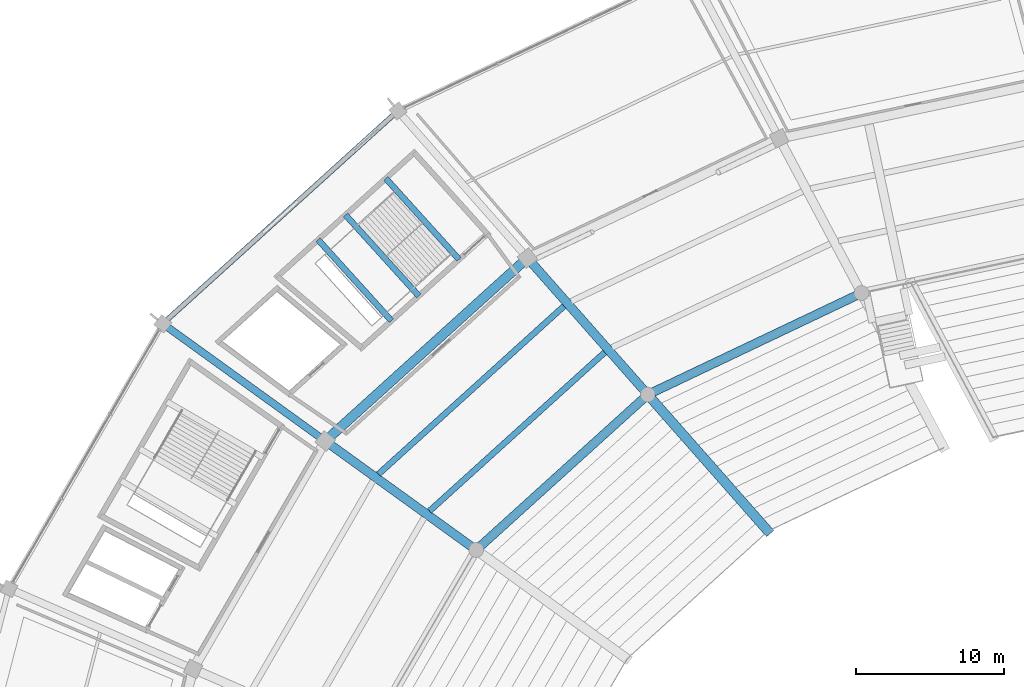
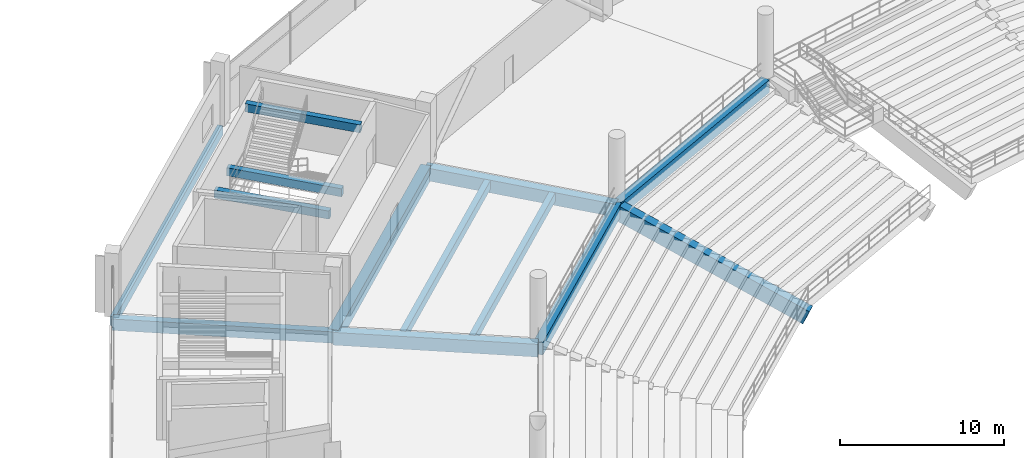
# One storey, part 69 of 156: 13 beams.
"""IFC4 building model written with IfcOpenShell, lengths in metres."""

from ifc_helpers import new_model, si_unit, direction, frame, origin, origin_2d, place, context, subcontext, project, spatial, rectangle, extrude, material, material_profile, profile_set, type_object, element, save


model = new_model("IFC4")

# Units and contexts
model_context = context("Model", 3, precision=1e-05, world=origin(), true_north=direction((0.0, 1.0)))
body_context = subcontext(model_context, "Body", "Model", "MODEL_VIEW")
ifc_project = project(units=[si_unit("LENGTHUNIT", "METRE"), si_unit("AREAUNIT", "SQUARE_METRE"), si_unit("VOLUMEUNIT", "CUBIC_METRE"), si_unit("PLANEANGLEUNIT", "RADIAN"), si_unit("MASSUNIT", "GRAM", prefix="KILO")], contexts=[model_context])

# Site, building, storey
site_placement = place(None, origin())
site = spatial("IfcSite", under=ifc_project, at=site_placement, CompositionType="ELEMENT")
building_placement = place(site_placement, origin())
building = spatial("IfcBuilding", under=site, at=building_placement, Name="Kazemori Nagisa Stadium", CompositionType="ELEMENT")
storey_placement = place(building_placement, frame((0.0, 0.0, 5.780029296875)))
storey = spatial("IfcBuildingStorey", under=building, at=storey_placement, Name="L01", CompositionType="ELEMENT", Elevation=5.780029296875)

# Beams
ifc_material = material(Name="Concrete C40/50 (Fc42)", Category="concrete")
ifc_material_profile_1 = material_profile(ifc_material, rectangle(XDim=0.39990234375, YDim=0.60009765625, at=origin_2d()), Name="RC-BM-400x600")
ifc_profile_set_1 = profile_set([ifc_material_profile_1], Name="Concrete C40/50 (Fc42)")
beam_type_1 = type_object("IfcBeamType", Name="Beam_BG-LND400X600", PredefinedType="BEAM", material=ifc_profile_set_1)
beam_1_placement = place(storey_placement, frame((61.818603515625, 160.547119140625, 1.8798828125), z_axis=(-0.671129682405, 0.741339968837, 0.0), x_axis=(-0.741339968837, -0.671129682405, 0.0)))
element("IfcBeam", 1, at=beam_1_placement, inside=storey, type_object=beam_type_1, Name="Core stair mid-landing girder ST02-L01-1", PredefinedType="BEAM", context=body_context, shape_type="SweptSolid", body=[
    extrude(rectangle(XDim=0.39990234375, YDim=0.60009765625, at=origin_2d()), origin(), (0.0, 0.0, 1.0), 7.3857421875),
])
for number, where, z_axis, x_axis, name in (
    (2, (59.96533203125, 158.869140625, 1.8798828125), (-0.671113236271, 0.74135485707, 0.0), (-0.74135485707, -0.671113236271, 0.0), "Core stair mid-landing girder ST02-L01-2"),
    (3, (64.543212890625, 163.01318359375, 4.199951171875), (-0.671113236271, 0.74135485707, 0.0), (-0.74135485707, -0.671113236271, 0.0), "Core stair arrival header girder ST02-L01"),
):
    element("IfcBeam", number, at=place(storey_placement, frame(where, z_axis=z_axis, x_axis=x_axis)), inside=storey, type_object=beam_type_1, Name=name, PredefinedType="BEAM", context=body_context, shape_type="SweptSolid", body=[
        extrude(rectangle(XDim=0.39990234375, YDim=0.60009765625, at=origin_2d()), origin(), (0.0, 0.0, 1.0), 7.385986328125),
    ])
ifc_material_profile_2 = material_profile(ifc_material, rectangle(XDim=0.5, YDim=0.85009765625, at=origin_2d()), Name="RC-BM-500x850")
ifc_profile_set_2 = profile_set([ifc_material_profile_2], Name="Concrete C40/50 (Fc42)")
beam_type_2 = type_object("IfcBeamType", Name="Beam_BG-RC500X850", PredefinedType="BEAM", material=ifc_profile_set_2)
beam_2_placement = place(storey_placement, frame((55.493896484375, 150.734130859375, -0.705078125), z_axis=(-0.810787509935, 0.585340596349, 0.0), x_axis=(-0.585340596349, -0.810787509935, 0.0)))
element("IfcBeam", 4, at=beam_2_placement, inside=storey, type_object=beam_type_2, Name="Radial girder BG-RC500X850 L01 R2-R3-12", PredefinedType="BEAM", context=body_context, shape_type="SweptSolid", body=[
    extrude(rectangle(XDim=0.5, YDim=0.85009765625, at=origin_2d()), origin(), (0.0, 0.0, 1.0), 13.5537109375),
])
ifc_material_profile_3 = material_profile(ifc_material, rectangle(XDim=0.60009765625, YDim=0.949951171875, at=origin_2d()), Name="RC-BM-600x950")
ifc_profile_set_3 = profile_set([ifc_material_profile_3], Name="Concrete C40/50 (Fc42)")
beam_type_3 = type_object("IfcBeamType", Name="Beam_BG-RC600X950", PredefinedType="BEAM", material=ifc_profile_set_3)
beam_3_placement = place(storey_placement, frame((91.75244140625, 160.739013671875, -0.755126953125), z_axis=(-0.903211989129, -0.429194714196, 0.0), x_axis=(0.429194714196, -0.903211989129, 0.0)))
element("IfcBeam", 5, at=beam_3_placement, inside=storey, type_object=beam_type_3, Name="Ring girder BG-RC600X950 L01 R1-10", PredefinedType="BEAM", context=body_context, shape_type="SweptSolid", body=[
    extrude(rectangle(XDim=0.60009765625, YDim=0.949951171875, at=origin_2d()), origin(), (0.0, 0.0, 1.0), 15.997314453125),
])
beam_4_placement = place(storey_placement, frame((77.303466796875, 153.873046875, -0.755126953125), z_axis=(-0.741349160152, -0.6711195294, 0.0), x_axis=(0.6711195294, -0.741349160152, 0.0)))
element("IfcBeam", 6, at=beam_4_placement, inside=storey, type_object=beam_type_3, Name="Ring girder BG-RC600X950 L01 R1-11", PredefinedType="BEAM", context=body_context, shape_type="SweptSolid", body=[
    extrude(rectangle(XDim=0.60009765625, YDim=0.949951171875, at=origin_2d()), origin(), (0.0, 0.0, 1.0), 15.65380859375),
])
beam_5_placement = place(storey_placement, frame((77.303466796875, 153.873046875, -0.755126953125), z_axis=(-0.66101406015, 0.75037351518, 0.0), x_axis=(-0.75037351518, -0.66101406015, 0.0)))
element("IfcBeam", 7, at=beam_5_placement, inside=storey, type_object=beam_type_3, Name="Radial girder BG-RC600X950 L01 R1-R2-11", PredefinedType="BEAM", context=body_context, shape_type="SweptSolid", body=[
    extrude(rectangle(XDim=0.60009765625, YDim=0.949951171875, at=origin_2d()), origin(), (0.0, 0.0, 1.0), 12.31103515625),
])
beam_6_placement = place(storey_placement, frame((65.698486328125, 143.367431640625, -0.755126953125), z_axis=(-0.810802996314, 0.585319144714, 0.0), x_axis=(-0.585319144714, -0.810802996314, 0.0)))
element("IfcBeam", 8, at=beam_6_placement, inside=storey, type_object=beam_type_3, Name="Radial girder BG-RC600X950 L01 R1-R2-12", PredefinedType="BEAM", context=body_context, shape_type="SweptSolid", body=[
    extrude(rectangle(XDim=0.60009765625, YDim=0.949951171875, at=origin_2d()), origin(), (0.0, 0.0, 1.0), 12.585693359375),
])
ifc_material_profile_4 = material_profile(ifc_material, rectangle(XDim=0.64990234375, YDim=1.050048828125, at=origin_2d()), Name="RC-BM-650x1050")
ifc_profile_set_4 = profile_set([ifc_material_profile_4], Name="Concrete C40/50 (Fc42)")
beam_type_4 = type_object("IfcBeamType", Name="Beam_BG-RC650X1050", PredefinedType="BEAM", material=ifc_profile_set_4)
beam_7_placement = place(storey_placement, frame((69.165771484375, 163.11083984375, -0.804931640625), z_axis=(-0.741349142139, -0.671119549298, 0.0), x_axis=(0.671119549298, -0.741349142139, 0.0)))
element("IfcBeam", 9, at=beam_7_placement, inside=storey, type_object=beam_type_4, Name="Ring girder BG-RC650X1050 L01 R2-11", PredefinedType="BEAM", context=body_context, shape_type="SweptSolid", body=[
    extrude(rectangle(XDim=0.64990234375, YDim=1.050048828125, at=origin_2d()), origin(), (0.0, 0.0, 1.0), 18.44189453125),
])
ifc_material_profile_5 = material_profile(ifc_material, rectangle(XDim=0.39990234375, YDim=0.64990234375, at=origin_2d()), Name="RC-BM-400x650")
ifc_profile_set_5 = profile_set([ifc_material_profile_5], Name="Concrete C40/50 (Fc42)")
beam_type_5 = type_object("IfcBeamType", Name="Beam_BJ-RC400X650", PredefinedType="JOIST", material=ifc_profile_set_5)
beam_8_placement = place(storey_placement, frame((74.39306640625, 156.730712890625, -0.60498046875), z_axis=(-0.741344716793, -0.671124437704, 0.0), x_axis=(0.671124437704, -0.741344716793, 0.0)))
element("IfcBeam", 10, at=beam_8_placement, inside=storey, type_object=beam_type_5, Name="Concourse joist BJ-RC400X650 L01 B11-1", PredefinedType="JOIST", context=body_context, shape_type="SweptSolid", body=[
    extrude(rectangle(XDim=0.39990234375, YDim=0.64990234375, at=origin_2d()), origin(), (0.0, 0.0, 1.0), 15.986328125),
])
beam_9_placement = place(storey_placement, frame((71.638671875, 159.857177734375, -0.60498046875), z_axis=(-0.741349213887, -0.671119470041, 0.0), x_axis=(0.671119470041, -0.741349213887, 0.0)))
element("IfcBeam", 11, at=beam_9_placement, inside=storey, type_object=beam_type_5, Name="Concourse joist BJ-RC400X650 L01 B11-2", PredefinedType="JOIST", context=body_context, shape_type="SweptSolid", body=[
    extrude(rectangle(XDim=0.39990234375, YDim=0.64990234375, at=origin_2d()), origin(), (0.0, 0.0, 1.0), 16.9296875),
])
ifc_material_profile_6 = material_profile(ifc_material, rectangle(XDim=0.35009765625, YDim=0.699951171875, at=origin_2d()), Name="RC-SP-350x700")
ifc_profile_set_6 = profile_set([ifc_material_profile_6], Name="Concrete C40/50 (Fc42)")
beam_type_6 = type_object("IfcBeamType", Name="Beam_BS-RC350X700", PredefinedType="SPANDREL", material=ifc_profile_set_6)
beam_10_placement = place(storey_placement, frame((60.402099609375, 173.05908203125, -0.630126953125), z_axis=(-0.741351531326, -0.671116910084, 0.0), x_axis=(0.671116910084, -0.741351531326, 0.0)))
element("IfcBeam", 12, at=beam_10_placement, inside=storey, type_object=beam_type_6, Name="Ring girder BS-RC350X700 L01 R3-11", PredefinedType="SPANDREL", context=body_context, shape_type="SweptSolid", body=[
    extrude(rectangle(XDim=0.35009765625, YDim=0.699951171875, at=origin_2d()), origin(), (0.0, 0.0, 1.0), 21.44384765625),
])
ifc_material_profile_7 = material_profile(ifc_material, rectangle(XDim=0.64990234375, YDim=1.10009765625, at=origin_2d()), Name="RC-RK-650x1100")
ifc_profile_set_7 = profile_set([ifc_material_profile_7], Name="Concrete C40/50 (Fc42)")
beam_type_7 = type_object("IfcBeamType", Name="Beam_RK-RC650X1100", PredefinedType="USERDEFINED", material=ifc_profile_set_7)
beam_11_placement = place(storey_placement, frame((85.441162109375, 144.635498046875, -5.97998046875), z_axis=(-0.609816072316, 0.692236011287, 0.385919243653), x_axis=(-0.750364849943, -0.66102389667, 0.0)))
element("IfcBeam", 13, at=beam_11_placement, inside=storey, type_object=beam_type_7, Name="Raker beam lower RK1-11", ObjectType="RAKER BEAM", PredefinedType="USERDEFINED", context=body_context, shape_type="SweptSolid", body=[
    extrude(rectangle(XDim=0.64990234375, YDim=1.10009765625, at=origin_2d()), origin(), (0.0, 0.0, 1.0), 13.344482421875),
])

save(model, "model.ifc")
